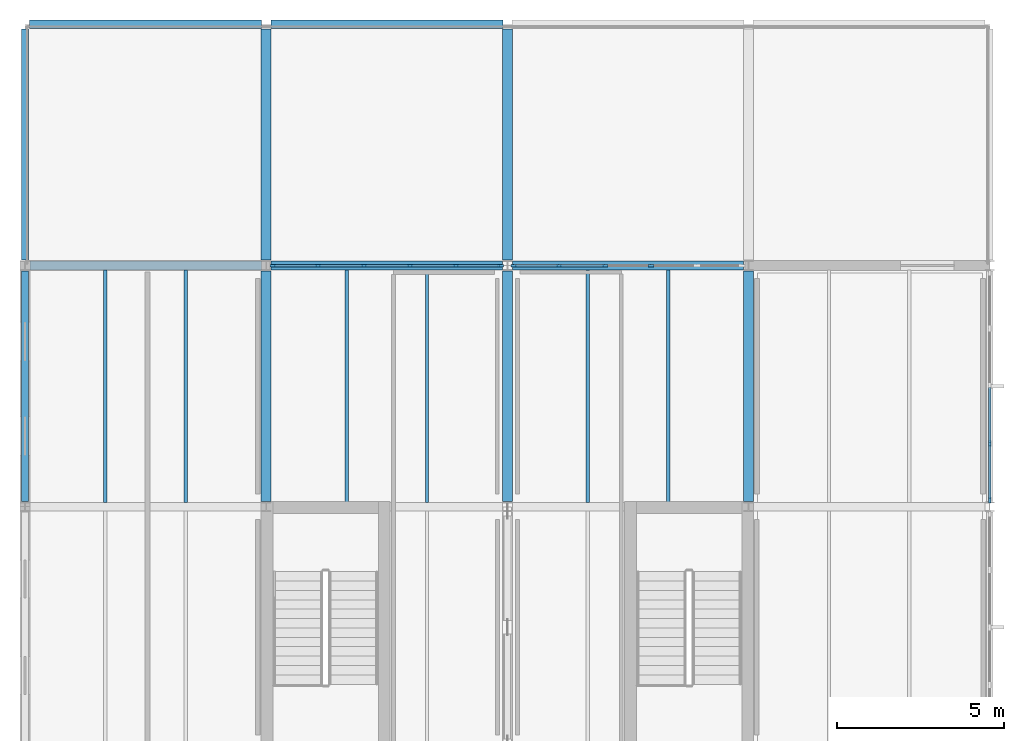
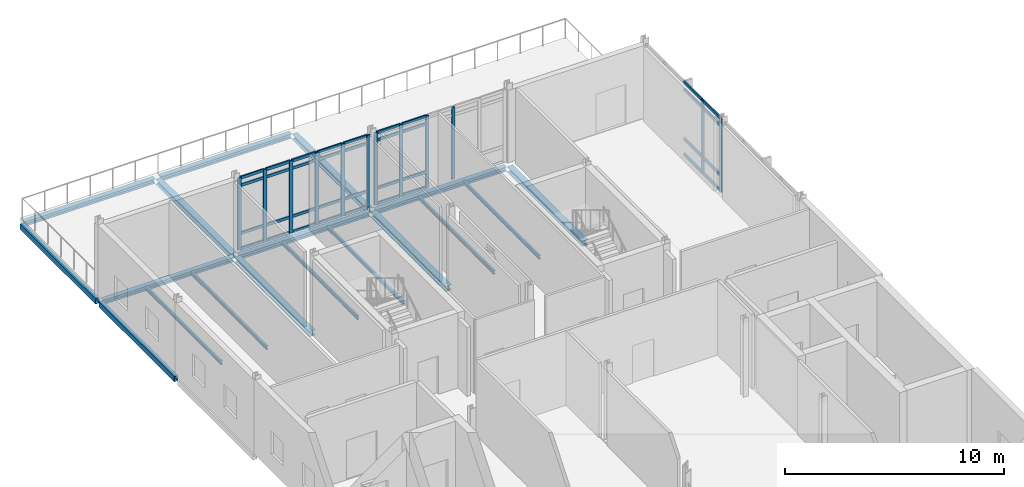
# One storey, part 4 of 12: 48 members, 18 beams, 3 elements without a shape of their own.
"""IFC4 building model written with IfcOpenShell, lengths in metres."""

from ifc_helpers import new_model, si_unit, direction, frame, origin, origin_2d, place, context, subcontext, project, spatial, rectangle, hollow_rectangle, i_section, extrude, material, layer, layer_set, material_profile, profile_set, type_object, element, aggregate, save


model = new_model("IFC4")

# Units and contexts
model_context = context("Model", 3, precision=1e-05, world=origin(), true_north=direction((0.0, 1.0)))
body_context = subcontext(model_context, "Body", "Model", "MODEL_VIEW")
ifc_project = project(units=[si_unit("LENGTHUNIT", "METRE"), si_unit("AREAUNIT", "SQUARE_METRE"), si_unit("VOLUMEUNIT", "CUBIC_METRE"), si_unit("PLANEANGLEUNIT", "RADIAN"), si_unit("MASSUNIT", "GRAM", prefix="KILO")], contexts=[model_context])

# Site, building, storey
site_placement = place(None, origin())
site = spatial("IfcSite", under=ifc_project, at=site_placement, CompositionType="ELEMENT")
building_placement = place(site_placement, origin())
building = spatial("IfcBuilding", under=site, at=building_placement, Name="Zarrinpeak Specialist Clinic", CompositionType="ELEMENT")
storey_placement = place(building_placement, frame((0.0, 0.0, 27.199951171875)))
storey = spatial("IfcBuildingStorey", under=building, at=storey_placement, Name="L06", CompositionType="ELEMENT", Elevation=27.199951171875)

# Beams
ifc_material_1 = material(Name="Steel S355", Category="steel")
ifc_material_profile_1 = material_profile(ifc_material_1, i_section(OverallWidth=0.260009765625, OverallDepth=0.25, WebThickness=0.007568359375, FlangeThickness=0.012451171875, FilletRadius=0.02392578125, at=origin_2d()), Name="HEA 260")
ifc_profile_set_1 = profile_set([ifc_material_profile_1], Name="Steel S355")
beam_type_1 = type_object("IfcBeamType", Name="BM-HEA260", PredefinedType="BEAM", material=ifc_profile_set_1)
for number, where, z_axis, x_axis, name in (
    (1, (0.14794921875, 36.0, -0.344970703125), (1.0, 0.0, 0.0), (0.0, 1.0, 0.0), "L06 Primary Floor Girder BM-L06-X2196"),
    (2, (7.347900390625, 36.0, -0.344970703125), (1.0, 0.0, 0.0), (0.0, 1.0, 0.0), "L06 Primary Floor Girder BM-L06-X2197"),
):
    element("IfcBeam", number, at=place(storey_placement, frame(where, z_axis=z_axis, x_axis=x_axis)), inside=storey, type_object=beam_type_1, Name=name, PredefinedType="BEAM", context=body_context, shape_type="SweptSolid", body=[
        extrude(i_section(OverallWidth=0.260009765625, OverallDepth=0.25, WebThickness=0.007568359375, FlangeThickness=0.012451171875, FilletRadius=0.02392578125, at=origin_2d()), origin(), (0.0, 0.0, 1.0), 6.904052734375),
    ])
beam_1_placement = place(storey_placement, frame((14.548095703125, 36.0, -0.344970703125), z_axis=(1.0, 0.0, 0.0), x_axis=(0.0, 1.0, 0.0)))
element("IfcBeam", 3, at=beam_1_placement, inside=storey, type_object=beam_type_1, Name="L06 Primary Floor Girder BM-L06-X2198", PredefinedType="BEAM", context=body_context, shape_type="SweptSolid", body=[
    extrude(i_section(OverallWidth=0.260009765625, OverallDepth=0.25, WebThickness=0.007568359375, FlangeThickness=0.012451171875, FilletRadius=0.02392578125, at=origin_2d()), origin(), (0.0, 0.0, 1.0), 6.90380859375),
])
for number, where, z_axis, x_axis, name in (
    (4, (0.137939453125, 43.199951171875, -0.344970703125), (1.0, 0.0, 0.0), (0.0, 1.0, 0.0), "L06 Primary Floor Girder BM-L06-X2200"),
    (5, (7.337890625, 43.199951171875, -0.344970703125), (1.0, 0.0, 0.0), (0.0, 1.0, 0.0), "L06 Primary Floor Girder BM-L06-X2201"),
):
    element("IfcBeam", number, at=place(storey_placement, frame(where, z_axis=z_axis, x_axis=x_axis)), inside=storey, type_object=beam_type_1, Name=name, PredefinedType="BEAM", context=body_context, shape_type="SweptSolid", body=[
        extrude(i_section(OverallWidth=0.260009765625, OverallDepth=0.25, WebThickness=0.007568359375, FlangeThickness=0.012451171875, FilletRadius=0.02392578125, at=origin_2d()), origin(), (0.0, 0.0, 1.0), 6.924072265625),
    ])
ifc_material_profile_2 = material_profile(ifc_material_1, i_section(OverallWidth=0.300048828125, OverallDepth=0.2900390625, WebThickness=0.008544921875, FlangeThickness=0.013916015625, FilletRadius=0.027099609375, at=origin_2d()), Name="HEA 300")
ifc_profile_set_2 = profile_set([ifc_material_profile_2], Name="Steel S355")
beam_type_2 = type_object("IfcBeamType", Name="BM-HEA300", PredefinedType="BEAM", material=ifc_profile_set_2)
beam_2_placement = place(storey_placement, frame((7.199951171875, 28.9580078125, -0.329833984375), z_axis=(0.0, 1.0, 0.0), x_axis=(-1.0, 0.0, 0.0)))
element("IfcBeam", 6, at=beam_2_placement, inside=storey, type_object=beam_type_2, Name="L06 Primary Beam BM-L06-Y2211", PredefinedType="BEAM", context=body_context, shape_type="SweptSolid", body=[
    extrude(i_section(OverallWidth=0.300048828125, OverallDepth=0.2900390625, WebThickness=0.008544921875, FlangeThickness=0.013916015625, FilletRadius=0.027099609375, at=origin_2d()), origin(), (0.0, 0.0, 1.0), 6.884033203125),
])
beam_3_placement = place(storey_placement, frame((7.199951171875, 36.157958984375, -0.364990234375), z_axis=(0.0, 1.0, 0.0), x_axis=(-1.0, 0.0, 0.0)))
element("IfcBeam", 7, at=beam_3_placement, inside=storey, type_object=beam_type_2, Name="L06 Primary Beam BM-L06-Y2212", PredefinedType="BEAM", context=body_context, shape_type="SweptSolid", body=[
    extrude(i_section(OverallWidth=0.300048828125, OverallDepth=0.2900390625, WebThickness=0.008544921875, FlangeThickness=0.013916015625, FilletRadius=0.027099609375, at=origin_2d()), origin(), (0.0, 0.0, 1.0), 6.904052734375),
])
beam_4_placement = place(storey_placement, frame((14.39990234375, 28.9580078125, -0.329833984375), z_axis=(0.0, 1.0, 0.0), x_axis=(-1.0, 0.0, 0.0)))
element("IfcBeam", 8, at=beam_4_placement, inside=storey, type_object=beam_type_2, Name="L06 Primary Beam BM-L06-Y2217", PredefinedType="BEAM", context=body_context, shape_type="SweptSolid", body=[
    extrude(i_section(OverallWidth=0.300048828125, OverallDepth=0.2900390625, WebThickness=0.008544921875, FlangeThickness=0.013916015625, FilletRadius=0.027099609375, at=origin_2d()), origin(), (0.0, 0.0, 1.0), 6.884033203125),
])
beam_5_placement = place(storey_placement, frame((14.39990234375, 36.157958984375, -0.364990234375), z_axis=(0.0, 1.0, 0.0), x_axis=(-1.0, 0.0, 0.0)))
element("IfcBeam", 9, at=beam_5_placement, inside=storey, type_object=beam_type_2, Name="L06 Primary Beam BM-L06-Y2218", PredefinedType="BEAM", context=body_context, shape_type="SweptSolid", body=[
    extrude(i_section(OverallWidth=0.300048828125, OverallDepth=0.2900390625, WebThickness=0.008544921875, FlangeThickness=0.013916015625, FilletRadius=0.027099609375, at=origin_2d()), origin(), (0.0, 0.0, 1.0), 6.904052734375),
])
beam_6_placement = place(storey_placement, frame((21.60009765625, 28.9580078125, -0.329833984375), z_axis=(0.0, 1.0, 0.0), x_axis=(-1.0, 0.0, 0.0)))
element("IfcBeam", 10, at=beam_6_placement, inside=storey, type_object=beam_type_2, Name="L06 Primary Beam BM-L06-Y2223", PredefinedType="BEAM", context=body_context, shape_type="SweptSolid", body=[
    extrude(i_section(OverallWidth=0.300048828125, OverallDepth=0.2900390625, WebThickness=0.008544921875, FlangeThickness=0.013916015625, FilletRadius=0.027099609375, at=origin_2d()), origin(), (0.0, 0.0, 1.0), 6.884033203125),
])
ifc_material_profile_3 = material_profile(ifc_material_1, i_section(OverallWidth=0.10009765625, OverallDepth=0.199951171875, WebThickness=0.005615234375, FlangeThickness=0.008544921875, FilletRadius=0.011962890625, at=origin_2d()), Name="IPE 200")
ifc_profile_set_3 = profile_set([ifc_material_profile_3], Name="Steel S355")
beam_type_3 = type_object("IfcBeamType", Name="BM-JST200", PredefinedType="JOIST", material=ifc_profile_set_3)
for number, where, z_axis, x_axis, name in (
    (11, (2.39990234375, 28.927978515625, -0.284912109375), (0.0, 1.0, 0.0), (-1.0, 0.0, 0.0), "L06 Composite Floor Joist JST-L06-2230"),
    (12, (4.800048828125, 28.927978515625, -0.284912109375), (0.0, 1.0, 0.0), (-1.0, 0.0, 0.0), "L06 Composite Floor Joist JST-L06-2231"),
    (13, (9.60009765625, 28.927978515625, -0.284912109375), (0.0, 1.0, 0.0), (-1.0, 0.0, 0.0), "L06 Composite Floor Joist JST-L06-2239"),
    (14, (12.0, 28.927978515625, -0.284912109375), (0.0, 1.0, 0.0), (-1.0, 0.0, 0.0), "L06 Composite Floor Joist JST-L06-2240"),
    (15, (16.800048828125, 28.927978515625, -0.284912109375), (0.0, 1.0, 0.0), (-1.0, 0.0, 0.0), "L06 Composite Floor Joist JST-L06-2248"),
    (16, (19.199951171875, 28.927978515625, -0.284912109375), (0.0, 1.0, 0.0), (-1.0, 0.0, 0.0), "L06 Composite Floor Joist JST-L06-2249"),
):
    element("IfcBeam", number, at=place(storey_placement, frame(where, z_axis=z_axis, x_axis=x_axis)), inside=storey, type_object=beam_type_3, Name=name, PredefinedType="JOIST", context=body_context, shape_type="SweptSolid", body=[
        extrude(i_section(OverallWidth=0.10009765625, OverallDepth=0.199951171875, WebThickness=0.005615234375, FlangeThickness=0.008544921875, FilletRadius=0.011962890625, at=origin_2d()), origin(), (0.0, 0.0, 1.0), 6.944091796875),
    ])
ifc_material_profile_4 = material_profile(ifc_material_1, hollow_rectangle(XDim=0.199951171875, YDim=0.300048828125, WallThickness=0.012451171875, at=origin_2d()), Name="RHS 300x200x12.5")
ifc_profile_set_4 = profile_set([ifc_material_profile_4], Name="Steel S355")
beam_type_4 = type_object("IfcBeamType", Name="BM-SP300", PredefinedType="SPANDREL", material=ifc_profile_set_4)
beam_7_placement = place(storey_placement, frame((0.0, 28.9580078125, -0.3349609375), z_axis=(0.0, 1.0, 0.0), x_axis=(-1.0, 0.0, 0.0)))
element("IfcBeam", 17, at=beam_7_placement, inside=storey, type_object=beam_type_4, Name="L06 Perimeter Spandrel Beam BM-L06-Y2205", PredefinedType="SPANDREL", context=body_context, shape_type="SweptSolid", body=[
    extrude(hollow_rectangle(XDim=0.199951171875, YDim=0.300048828125, WallThickness=0.012451171875, at=origin_2d()), origin(), (0.0, 0.0, 1.0), 6.884033203125),
])
beam_8_placement = place(storey_placement, frame((0.0, 36.157958984375, -0.369873046875), z_axis=(0.0, 1.0, 0.0), x_axis=(-1.0, 0.0, 0.0)))
element("IfcBeam", 18, at=beam_8_placement, inside=storey, type_object=beam_type_4, Name="L06 Perimeter Spandrel Beam BM-L06-Y2206", PredefinedType="SPANDREL", context=body_context, shape_type="SweptSolid", body=[
    extrude(hollow_rectangle(XDim=0.199951171875, YDim=0.300048828125, WallThickness=0.012451171875, at=origin_2d()), origin(), (0.0, 0.0, 1.0), 6.904052734375),
])

# Curtain wall, members
ifc_material_2 = material(Name="Anodised Aluminium Alloy 6063-T6", Category="aluminium")
ifc_layer_1 = layer(ifc_material_2, 0.1650390625)
ifc_layer_set_1 = layer_set([ifc_layer_1], Name="Anodised Aluminium Alloy 6063-T6")
curtain_wall_type_1 = type_object("IfcCurtainWallType", Name="CW-CLINIC", PredefinedType="NOTDEFINED", material=ifc_layer_set_1)
curtain_wall_1_placement = place(storey_placement, origin())
curtain_wall_1 = element("IfcCurtainWall", 19, at=curtain_wall_1_placement, inside=storey, type_object=curtain_wall_type_1, Name="L06 V1 Unitised Curtain Wall CW-L06-V1-036", PredefinedType="NOTDEFINED")
ifc_material_profile_5 = material_profile(ifc_material_2, rectangle(XDim=0.074951171875, YDim=0.179931640625, at=origin_2d()), Name="ALU 75x180")
ifc_profile_set_5 = profile_set([ifc_material_profile_5], Name="Anodised Aluminium Alloy 6063-T6")
member_type_1 = type_object("IfcMemberType", Name="CWM-75", PredefinedType="MULLION", material=ifc_profile_set_5)
member_1_placement = place(storey_placement, frame((14.197509765625, 36.0, 0.0), z_axis=(0.0, 0.0, 1.0), x_axis=(0.0, -1.0, 0.0)))
member_1 = element("IfcMember", 20, at=member_1_placement, type_object=member_type_1, Name="CW-03 mullion 1", PredefinedType="MULLION", context=body_context, shape_type="SweptSolid", body=[
    extrude(rectangle(XDim=0.074951171875, YDim=0.179931640625, at=origin_2d()), origin(), (0.0, 0.0, 1.0), 4.03515625),
])
member_2_placement = place(storey_placement, frame((12.861083984375, 36.0, 0.0), z_axis=(0.0, 0.0, 1.0), x_axis=(0.0, -1.0, 0.0)))
member_2 = element("IfcMember", 21, at=member_2_placement, type_object=member_type_1, Name="CW-03 mullion 2", PredefinedType="MULLION", context=body_context, shape_type="SweptSolid", body=[
    extrude(rectangle(XDim=0.074951171875, YDim=0.179931640625, at=origin_2d()), origin(), (0.0, 0.0, 1.0), 4.03515625),
])
member_3_placement = place(storey_placement, frame((11.487060546875, 36.0, 0.0), z_axis=(0.0, 0.0, 1.0), x_axis=(0.0, -1.0, 0.0)))
member_3 = element("IfcMember", 22, at=member_3_placement, type_object=member_type_1, Name="CW-03 mullion 3", PredefinedType="MULLION", context=body_context, shape_type="SweptSolid", body=[
    extrude(rectangle(XDim=0.074951171875, YDim=0.179931640625, at=origin_2d()), origin(), (0.0, 0.0, 1.0), 4.03515625),
])
member_4_placement = place(storey_placement, frame((10.113037109375, 36.0, 0.0), z_axis=(0.0, 0.0, 1.0), x_axis=(0.0, -1.0, 0.0)))
member_4 = element("IfcMember", 23, at=member_4_placement, type_object=member_type_1, Name="CW-03 mullion 4", PredefinedType="MULLION", context=body_context, shape_type="SweptSolid", body=[
    extrude(rectangle(XDim=0.074951171875, YDim=0.179931640625, at=origin_2d()), origin(), (0.0, 0.0, 1.0), 4.03515625),
])
member_5_placement = place(storey_placement, frame((8.739013671875, 36.0, 0.0), z_axis=(0.0, 0.0, 1.0), x_axis=(0.0, -1.0, 0.0)))
member_5 = element("IfcMember", 24, at=member_5_placement, type_object=member_type_1, Name="CW-03 mullion 5", PredefinedType="MULLION", context=body_context, shape_type="SweptSolid", body=[
    extrude(rectangle(XDim=0.074951171875, YDim=0.179931640625, at=origin_2d()), origin(), (0.0, 0.0, 1.0), 4.03515625),
])
member_6_placement = place(storey_placement, frame((7.402587890625, 36.0, 0.0), z_axis=(0.0, 0.0, 1.0), x_axis=(0.0, -1.0, 0.0)))
member_6 = element("IfcMember", 25, at=member_6_placement, type_object=member_type_1, Name="CW-03 mullion 6", PredefinedType="MULLION", context=body_context, shape_type="SweptSolid", body=[
    extrude(rectangle(XDim=0.074951171875, YDim=0.179931640625, at=origin_2d()), origin(), (0.0, 0.0, 1.0), 4.03515625),
])

curtain_wall_2_placement = place(storey_placement, origin())
curtain_wall_2 = element("IfcCurtainWall", 26, at=curtain_wall_2_placement, inside=storey, type_object=curtain_wall_type_1, Name="L06 V1 Unitised Curtain Wall CW-L06-V1-037", PredefinedType="NOTDEFINED")
member_7_placement = place(storey_placement, frame((18.68701171875, 36.0, 0.0), z_axis=(0.0, 0.0, 1.0), x_axis=(0.0, -1.0, 0.0)))
member_7 = element("IfcMember", 27, at=member_7_placement, type_object=member_type_1, Name="CW-03 mullion 3", PredefinedType="MULLION", context=body_context, shape_type="SweptSolid", body=[
    extrude(rectangle(XDim=0.074951171875, YDim=0.179931640625, at=origin_2d()), origin(), (0.0, 0.0, 1.0), 4.03515625),
])
member_8_placement = place(storey_placement, frame((17.31298828125, 36.0, 0.0), z_axis=(0.0, 0.0, 1.0), x_axis=(0.0, -1.0, 0.0)))
member_8 = element("IfcMember", 28, at=member_8_placement, type_object=member_type_1, Name="CW-03 mullion 4", PredefinedType="MULLION", context=body_context, shape_type="SweptSolid", body=[
    extrude(rectangle(XDim=0.074951171875, YDim=0.179931640625, at=origin_2d()), origin(), (0.0, 0.0, 1.0), 4.03515625),
])
member_9_placement = place(storey_placement, frame((15.93896484375, 36.0, 0.0), z_axis=(0.0, 0.0, 1.0), x_axis=(0.0, -1.0, 0.0)))
member_9 = element("IfcMember", 29, at=member_9_placement, type_object=member_type_1, Name="CW-03 mullion 5", PredefinedType="MULLION", context=body_context, shape_type="SweptSolid", body=[
    extrude(rectangle(XDim=0.074951171875, YDim=0.179931640625, at=origin_2d()), origin(), (0.0, 0.0, 1.0), 4.03515625),
])
member_10_placement = place(storey_placement, frame((14.6025390625, 36.0, 0.0), z_axis=(0.0, 0.0, 1.0), x_axis=(0.0, -1.0, 0.0)))
member_10 = element("IfcMember", 30, at=member_10_placement, type_object=member_type_1, Name="CW-03 mullion 6", PredefinedType="MULLION", context=body_context, shape_type="SweptSolid", body=[
    extrude(rectangle(XDim=0.074951171875, YDim=0.179931640625, at=origin_2d()), origin(), (0.0, 0.0, 1.0), 4.03515625),
])

ifc_layer_2 = layer(ifc_material_2, 0.179931640625)
ifc_layer_set_2 = layer_set([ifc_layer_2], Name="Anodised Aluminium Alloy 6063-T6")
curtain_wall_type_2 = type_object("IfcCurtainWallType", Name="CW-COURT", PredefinedType="NOTDEFINED", material=ifc_layer_set_2)
curtain_wall_3_placement = place(storey_placement, origin())
curtain_wall_3 = element("IfcCurtainWall", 31, at=curtain_wall_3_placement, inside=storey, type_object=curtain_wall_type_2, Name="L06 V1 Unitised Curtain Wall CW-L06-V1-039", PredefinedType="NOTDEFINED")
member_11_placement = place(storey_placement, frame((28.800048828125, 29.00244140625, 0.0), z_axis=(0.0, 0.0, 1.0), x_axis=(-1.0, 0.0, 0.0)))
member_11 = element("IfcMember", 32, at=member_11_placement, type_object=member_type_1, Name="CW-01 mullion 1", PredefinedType="MULLION", context=body_context, shape_type="SweptSolid", body=[
    extrude(rectangle(XDim=0.074951171875, YDim=0.179931640625, at=origin_2d()), origin(), (0.0, 0.0, 1.0), 4.110107421875),
])
member_12_placement = place(storey_placement, frame((28.800048828125, 30.6826171875, 0.0), z_axis=(0.0, 0.0, 1.0), x_axis=(-1.0, 0.0, 0.0)))
member_12 = element("IfcMember", 33, at=member_12_placement, type_object=member_type_1, Name="CW-01 mullion 2", PredefinedType="MULLION", context=body_context, shape_type="SweptSolid", body=[
    extrude(rectangle(XDim=0.074951171875, YDim=0.179931640625, at=origin_2d()), origin(), (0.0, 0.0, 1.0), 4.110107421875),
])

# Member
ifc_material_profile_6 = material_profile(ifc_material_2, rectangle(XDim=0.074951171875, YDim=0.159912109375, at=origin_2d()), Name="ALU 75x160")
ifc_profile_set_6 = profile_set([ifc_material_profile_6], Name="Anodised Aluminium Alloy 6063-T6")
member_type_2 = type_object("IfcMemberType", Name="CWT-75", PredefinedType="USERDEFINED", material=ifc_profile_set_6)
member_13_placement = place(storey_placement, frame((14.159912109375, 36.0, 0.03759765625), z_axis=(-1.0, 0.0, 0.0), x_axis=(0.0, -1.0, 0.0)))
member_13 = element("IfcMember", 34, at=member_13_placement, type_object=member_type_2, Name="CW-03 transom 1.1", ObjectType="TRANSOM", PredefinedType="USERDEFINED", context=body_context, shape_type="SweptSolid", body=[
    extrude(rectangle(XDim=0.074951171875, YDim=0.159912109375, at=origin_2d()), origin(), (0.0, 0.0, 1.0), 1.261474609375),
])

member_14_placement = place(storey_placement, frame((14.159912109375, 36.0, 0.900146484375), z_axis=(-1.0, 0.0, 0.0), x_axis=(0.0, -1.0, 0.0)))
member_14 = element("IfcMember", 35, at=member_14_placement, type_object=member_type_2, Name="CW-03 transom 1.2", ObjectType="TRANSOM", PredefinedType="USERDEFINED", context=body_context, shape_type="SweptSolid", body=[
    extrude(rectangle(XDim=0.074951171875, YDim=0.159912109375, at=origin_2d()), origin(), (0.0, 0.0, 1.0), 1.261474609375),
])

member_15_placement = place(storey_placement, frame((14.159912109375, 36.0, 3.5849609375), z_axis=(-1.0, 0.0, 0.0), x_axis=(0.0, -1.0, 0.0)))
member_15 = element("IfcMember", 36, at=member_15_placement, type_object=member_type_2, Name="CW-03 transom 1.3", ObjectType="TRANSOM", PredefinedType="USERDEFINED", context=body_context, shape_type="SweptSolid", body=[
    extrude(rectangle(XDim=0.074951171875, YDim=0.159912109375, at=origin_2d()), origin(), (0.0, 0.0, 1.0), 1.261474609375),
])

member_16_placement = place(storey_placement, frame((14.159912109375, 36.0, 3.99755859375), z_axis=(-1.0, 0.0, 0.0), x_axis=(0.0, -1.0, 0.0)))
member_16 = element("IfcMember", 37, at=member_16_placement, type_object=member_type_2, Name="CW-03 transom 1.4", ObjectType="TRANSOM", PredefinedType="USERDEFINED", context=body_context, shape_type="SweptSolid", body=[
    extrude(rectangle(XDim=0.074951171875, YDim=0.159912109375, at=origin_2d()), origin(), (0.0, 0.0, 1.0), 1.261474609375),
])

member_17_placement = place(storey_placement, frame((12.823486328125, 36.0, 0.03759765625), z_axis=(-1.0, 0.0, 0.0), x_axis=(0.0, -1.0, 0.0)))
member_17 = element("IfcMember", 38, at=member_17_placement, type_object=member_type_2, Name="CW-03 transom 2.1", ObjectType="TRANSOM", PredefinedType="USERDEFINED", context=body_context, shape_type="SweptSolid", body=[
    extrude(rectangle(XDim=0.074951171875, YDim=0.159912109375, at=origin_2d()), origin(), (0.0, 0.0, 1.0), 1.299072265625),
])

member_18_placement = place(storey_placement, frame((12.823486328125, 36.0, 0.900146484375), z_axis=(-1.0, 0.0, 0.0), x_axis=(0.0, -1.0, 0.0)))
member_18 = element("IfcMember", 39, at=member_18_placement, type_object=member_type_2, Name="CW-03 transom 2.2", ObjectType="TRANSOM", PredefinedType="USERDEFINED", context=body_context, shape_type="SweptSolid", body=[
    extrude(rectangle(XDim=0.074951171875, YDim=0.159912109375, at=origin_2d()), origin(), (0.0, 0.0, 1.0), 1.299072265625),
])

member_19_placement = place(storey_placement, frame((12.823486328125, 36.0, 3.5849609375), z_axis=(-1.0, 0.0, 0.0), x_axis=(0.0, -1.0, 0.0)))
member_19 = element("IfcMember", 40, at=member_19_placement, type_object=member_type_2, Name="CW-03 transom 2.3", ObjectType="TRANSOM", PredefinedType="USERDEFINED", context=body_context, shape_type="SweptSolid", body=[
    extrude(rectangle(XDim=0.074951171875, YDim=0.159912109375, at=origin_2d()), origin(), (0.0, 0.0, 1.0), 1.299072265625),
])

member_20_placement = place(storey_placement, frame((12.823486328125, 36.0, 3.99755859375), z_axis=(-1.0, 0.0, 0.0), x_axis=(0.0, -1.0, 0.0)))
member_20 = element("IfcMember", 41, at=member_20_placement, type_object=member_type_2, Name="CW-03 transom 2.4", ObjectType="TRANSOM", PredefinedType="USERDEFINED", context=body_context, shape_type="SweptSolid", body=[
    extrude(rectangle(XDim=0.074951171875, YDim=0.159912109375, at=origin_2d()), origin(), (0.0, 0.0, 1.0), 1.299072265625),
])

member_21_placement = place(storey_placement, frame((11.449462890625, 36.0, 0.03759765625), z_axis=(-1.0, 0.0, 0.0), x_axis=(0.0, -1.0, 0.0)))
member_21 = element("IfcMember", 42, at=member_21_placement, type_object=member_type_2, Name="CW-03 transom 3.1", ObjectType="TRANSOM", PredefinedType="USERDEFINED", context=body_context, shape_type="SweptSolid", body=[
    extrude(rectangle(XDim=0.074951171875, YDim=0.159912109375, at=origin_2d()), origin(), (0.0, 0.0, 1.0), 1.299072265625),
])

member_22_placement = place(storey_placement, frame((11.449462890625, 36.0, 0.900146484375), z_axis=(-1.0, 0.0, 0.0), x_axis=(0.0, -1.0, 0.0)))
member_22 = element("IfcMember", 43, at=member_22_placement, type_object=member_type_2, Name="CW-03 transom 3.2", ObjectType="TRANSOM", PredefinedType="USERDEFINED", context=body_context, shape_type="SweptSolid", body=[
    extrude(rectangle(XDim=0.074951171875, YDim=0.159912109375, at=origin_2d()), origin(), (0.0, 0.0, 1.0), 1.299072265625),
])

member_23_placement = place(storey_placement, frame((11.449462890625, 36.0, 3.5849609375), z_axis=(-1.0, 0.0, 0.0), x_axis=(0.0, -1.0, 0.0)))
member_23 = element("IfcMember", 44, at=member_23_placement, type_object=member_type_2, Name="CW-03 transom 3.3", ObjectType="TRANSOM", PredefinedType="USERDEFINED", context=body_context, shape_type="SweptSolid", body=[
    extrude(rectangle(XDim=0.074951171875, YDim=0.159912109375, at=origin_2d()), origin(), (0.0, 0.0, 1.0), 1.299072265625),
])

member_24_placement = place(storey_placement, frame((11.449462890625, 36.0, 3.99755859375), z_axis=(-1.0, 0.0, 0.0), x_axis=(0.0, -1.0, 0.0)))
member_24 = element("IfcMember", 45, at=member_24_placement, type_object=member_type_2, Name="CW-03 transom 3.4", ObjectType="TRANSOM", PredefinedType="USERDEFINED", context=body_context, shape_type="SweptSolid", body=[
    extrude(rectangle(XDim=0.074951171875, YDim=0.159912109375, at=origin_2d()), origin(), (0.0, 0.0, 1.0), 1.299072265625),
])

member_25_placement = place(storey_placement, frame((10.075439453125, 36.0, 0.03759765625), z_axis=(-1.0, 0.0, 0.0), x_axis=(0.0, -1.0, 0.0)))
member_25 = element("IfcMember", 46, at=member_25_placement, type_object=member_type_2, Name="CW-03 transom 4.1", ObjectType="TRANSOM", PredefinedType="USERDEFINED", context=body_context, shape_type="SweptSolid", body=[
    extrude(rectangle(XDim=0.074951171875, YDim=0.159912109375, at=origin_2d()), origin(), (0.0, 0.0, 1.0), 1.298828125),
])

member_26_placement = place(storey_placement, frame((10.075439453125, 36.0, 0.900146484375), z_axis=(-1.0, 0.0, 0.0), x_axis=(0.0, -1.0, 0.0)))
member_26 = element("IfcMember", 47, at=member_26_placement, type_object=member_type_2, Name="CW-03 transom 4.2", ObjectType="TRANSOM", PredefinedType="USERDEFINED", context=body_context, shape_type="SweptSolid", body=[
    extrude(rectangle(XDim=0.074951171875, YDim=0.159912109375, at=origin_2d()), origin(), (0.0, 0.0, 1.0), 1.298828125),
])

member_27_placement = place(storey_placement, frame((10.075439453125, 36.0, 3.5849609375), z_axis=(-1.0, 0.0, 0.0), x_axis=(0.0, -1.0, 0.0)))
member_27 = element("IfcMember", 48, at=member_27_placement, type_object=member_type_2, Name="CW-03 transom 4.3", ObjectType="TRANSOM", PredefinedType="USERDEFINED", context=body_context, shape_type="SweptSolid", body=[
    extrude(rectangle(XDim=0.074951171875, YDim=0.159912109375, at=origin_2d()), origin(), (0.0, 0.0, 1.0), 1.298828125),
])

member_28_placement = place(storey_placement, frame((10.075439453125, 36.0, 3.99755859375), z_axis=(-1.0, 0.0, 0.0), x_axis=(0.0, -1.0, 0.0)))
member_28 = element("IfcMember", 49, at=member_28_placement, type_object=member_type_2, Name="CW-03 transom 4.4", ObjectType="TRANSOM", PredefinedType="USERDEFINED", context=body_context, shape_type="SweptSolid", body=[
    extrude(rectangle(XDim=0.074951171875, YDim=0.159912109375, at=origin_2d()), origin(), (0.0, 0.0, 1.0), 1.298828125),
])

member_29_placement = place(storey_placement, frame((8.701416015625, 36.0, 0.03759765625), z_axis=(-1.0, 0.0, 0.0), x_axis=(0.0, -1.0, 0.0)))
member_29 = element("IfcMember", 50, at=member_29_placement, type_object=member_type_2, Name="CW-03 transom 5.1", ObjectType="TRANSOM", PredefinedType="USERDEFINED", context=body_context, shape_type="SweptSolid", body=[
    extrude(rectangle(XDim=0.074951171875, YDim=0.159912109375, at=origin_2d()), origin(), (0.0, 0.0, 1.0), 1.261474609375),
])

member_30_placement = place(storey_placement, frame((8.701416015625, 36.0, 0.900146484375), z_axis=(-1.0, 0.0, 0.0), x_axis=(0.0, -1.0, 0.0)))
member_30 = element("IfcMember", 51, at=member_30_placement, type_object=member_type_2, Name="CW-03 transom 5.2", ObjectType="TRANSOM", PredefinedType="USERDEFINED", context=body_context, shape_type="SweptSolid", body=[
    extrude(rectangle(XDim=0.074951171875, YDim=0.159912109375, at=origin_2d()), origin(), (0.0, 0.0, 1.0), 1.261474609375),
])

member_31_placement = place(storey_placement, frame((8.701416015625, 36.0, 3.5849609375), z_axis=(-1.0, 0.0, 0.0), x_axis=(0.0, -1.0, 0.0)))
member_31 = element("IfcMember", 52, at=member_31_placement, type_object=member_type_2, Name="CW-03 transom 5.3", ObjectType="TRANSOM", PredefinedType="USERDEFINED", context=body_context, shape_type="SweptSolid", body=[
    extrude(rectangle(XDim=0.074951171875, YDim=0.159912109375, at=origin_2d()), origin(), (0.0, 0.0, 1.0), 1.261474609375),
])

member_32_placement = place(storey_placement, frame((8.701416015625, 36.0, 3.99755859375), z_axis=(-1.0, 0.0, 0.0), x_axis=(0.0, -1.0, 0.0)))
member_32 = element("IfcMember", 53, at=member_32_placement, type_object=member_type_2, Name="CW-03 transom 5.4", ObjectType="TRANSOM", PredefinedType="USERDEFINED", context=body_context, shape_type="SweptSolid", body=[
    extrude(rectangle(XDim=0.074951171875, YDim=0.159912109375, at=origin_2d()), origin(), (0.0, 0.0, 1.0), 1.261474609375),
])

aggregate(curtain_wall_1, [member_1, member_2, member_3, member_4, member_5, member_6, member_13, member_14, member_15, member_16, member_17, member_18, member_19, member_20, member_21, member_22, member_23, member_24, member_25, member_26, member_27, member_28, member_29, member_30, member_31, member_32])

member_33_placement = place(storey_placement, frame((17.275390625, 36.0, 0.03759765625), z_axis=(-1.0, 0.0, 0.0), x_axis=(0.0, -1.0, 0.0)))
member_33 = element("IfcMember", 54, at=member_33_placement, type_object=member_type_2, Name="CW-03 transom 4.1", ObjectType="TRANSOM", PredefinedType="USERDEFINED", context=body_context, shape_type="SweptSolid", body=[
    extrude(rectangle(XDim=0.074951171875, YDim=0.159912109375, at=origin_2d()), origin(), (0.0, 0.0, 1.0), 1.298828125),
])

member_34_placement = place(storey_placement, frame((17.275390625, 36.0, 0.900146484375), z_axis=(-1.0, 0.0, 0.0), x_axis=(0.0, -1.0, 0.0)))
member_34 = element("IfcMember", 55, at=member_34_placement, type_object=member_type_2, Name="CW-03 transom 4.2", ObjectType="TRANSOM", PredefinedType="USERDEFINED", context=body_context, shape_type="SweptSolid", body=[
    extrude(rectangle(XDim=0.074951171875, YDim=0.159912109375, at=origin_2d()), origin(), (0.0, 0.0, 1.0), 1.298828125),
])

member_35_placement = place(storey_placement, frame((17.275390625, 36.0, 3.5849609375), z_axis=(-1.0, 0.0, 0.0), x_axis=(0.0, -1.0, 0.0)))
member_35 = element("IfcMember", 56, at=member_35_placement, type_object=member_type_2, Name="CW-03 transom 4.3", ObjectType="TRANSOM", PredefinedType="USERDEFINED", context=body_context, shape_type="SweptSolid", body=[
    extrude(rectangle(XDim=0.074951171875, YDim=0.159912109375, at=origin_2d()), origin(), (0.0, 0.0, 1.0), 1.298828125),
])

member_36_placement = place(storey_placement, frame((17.275390625, 36.0, 3.99755859375), z_axis=(-1.0, 0.0, 0.0), x_axis=(0.0, -1.0, 0.0)))
member_36 = element("IfcMember", 57, at=member_36_placement, type_object=member_type_2, Name="CW-03 transom 4.4", ObjectType="TRANSOM", PredefinedType="USERDEFINED", context=body_context, shape_type="SweptSolid", body=[
    extrude(rectangle(XDim=0.074951171875, YDim=0.159912109375, at=origin_2d()), origin(), (0.0, 0.0, 1.0), 1.298828125),
])

member_37_placement = place(storey_placement, frame((15.901611328125, 36.0, 0.03759765625), z_axis=(-1.0, 0.0, 0.0), x_axis=(0.0, -1.0, 0.0)))
member_37 = element("IfcMember", 58, at=member_37_placement, type_object=member_type_2, Name="CW-03 transom 5.1", ObjectType="TRANSOM", PredefinedType="USERDEFINED", context=body_context, shape_type="SweptSolid", body=[
    extrude(rectangle(XDim=0.074951171875, YDim=0.159912109375, at=origin_2d()), origin(), (0.0, 0.0, 1.0), 1.26171875),
])

member_38_placement = place(storey_placement, frame((15.901611328125, 36.0, 0.900146484375), z_axis=(-1.0, 0.0, 0.0), x_axis=(0.0, -1.0, 0.0)))
member_38 = element("IfcMember", 59, at=member_38_placement, type_object=member_type_2, Name="CW-03 transom 5.2", ObjectType="TRANSOM", PredefinedType="USERDEFINED", context=body_context, shape_type="SweptSolid", body=[
    extrude(rectangle(XDim=0.074951171875, YDim=0.159912109375, at=origin_2d()), origin(), (0.0, 0.0, 1.0), 1.26171875),
])

member_39_placement = place(storey_placement, frame((15.901611328125, 36.0, 3.5849609375), z_axis=(-1.0, 0.0, 0.0), x_axis=(0.0, -1.0, 0.0)))
member_39 = element("IfcMember", 60, at=member_39_placement, type_object=member_type_2, Name="CW-03 transom 5.3", ObjectType="TRANSOM", PredefinedType="USERDEFINED", context=body_context, shape_type="SweptSolid", body=[
    extrude(rectangle(XDim=0.074951171875, YDim=0.159912109375, at=origin_2d()), origin(), (0.0, 0.0, 1.0), 1.26171875),
])

member_40_placement = place(storey_placement, frame((15.901611328125, 36.0, 3.99755859375), z_axis=(-1.0, 0.0, 0.0), x_axis=(0.0, -1.0, 0.0)))
member_40 = element("IfcMember", 61, at=member_40_placement, type_object=member_type_2, Name="CW-03 transom 5.4", ObjectType="TRANSOM", PredefinedType="USERDEFINED", context=body_context, shape_type="SweptSolid", body=[
    extrude(rectangle(XDim=0.074951171875, YDim=0.159912109375, at=origin_2d()), origin(), (0.0, 0.0, 1.0), 1.26171875),
])

aggregate(curtain_wall_2, [member_7, member_8, member_9, member_10, member_33, member_34, member_35, member_36, member_37, member_38, member_39, member_40])

member_41_placement = place(storey_placement, frame((28.800048828125, 29.0400390625, 0.03759765625), z_axis=(0.0, 1.0, 0.0), x_axis=(-1.0, 0.0, 0.0)))
member_41 = element("IfcMember", 62, at=member_41_placement, type_object=member_type_2, Name="CW-01 transom 1.1", ObjectType="TRANSOM", PredefinedType="USERDEFINED", context=body_context, shape_type="SweptSolid", body=[
    extrude(rectangle(XDim=0.074951171875, YDim=0.159912109375, at=origin_2d()), origin(), (0.0, 0.0, 1.0), 1.60498046875),
])

member_42_placement = place(storey_placement, frame((28.800048828125, 29.0400390625, 0.900146484375), z_axis=(0.0, 1.0, 0.0), x_axis=(-1.0, 0.0, 0.0)))
member_42 = element("IfcMember", 63, at=member_42_placement, type_object=member_type_2, Name="CW-01 transom 1.2", ObjectType="TRANSOM", PredefinedType="USERDEFINED", context=body_context, shape_type="SweptSolid", body=[
    extrude(rectangle(XDim=0.074951171875, YDim=0.159912109375, at=origin_2d()), origin(), (0.0, 0.0, 1.0), 1.60498046875),
])

member_43_placement = place(storey_placement, frame((28.800048828125, 29.0400390625, 3.66015625), z_axis=(0.0, 1.0, 0.0), x_axis=(-1.0, 0.0, 0.0)))
member_43 = element("IfcMember", 64, at=member_43_placement, type_object=member_type_2, Name="CW-01 transom 1.3", ObjectType="TRANSOM", PredefinedType="USERDEFINED", context=body_context, shape_type="SweptSolid", body=[
    extrude(rectangle(XDim=0.074951171875, YDim=0.159912109375, at=origin_2d()), origin(), (0.0, 0.0, 1.0), 1.60498046875),
])

member_44_placement = place(storey_placement, frame((28.800048828125, 29.0400390625, 4.072509765625), z_axis=(0.0, 1.0, 0.0), x_axis=(-1.0, 0.0, 0.0)))
member_44 = element("IfcMember", 65, at=member_44_placement, type_object=member_type_2, Name="CW-01 transom 1.4", ObjectType="TRANSOM", PredefinedType="USERDEFINED", context=body_context, shape_type="SweptSolid", body=[
    extrude(rectangle(XDim=0.074951171875, YDim=0.159912109375, at=origin_2d()), origin(), (0.0, 0.0, 1.0), 1.60498046875),
])

member_45_placement = place(storey_placement, frame((28.800048828125, 30.719970703125, 0.03759765625), z_axis=(0.0, 1.0, 0.0), x_axis=(-1.0, 0.0, 0.0)))
member_45 = element("IfcMember", 66, at=member_45_placement, type_object=member_type_2, Name="CW-01 transom 2.1", ObjectType="TRANSOM", PredefinedType="USERDEFINED", context=body_context, shape_type="SweptSolid", body=[
    extrude(rectangle(XDim=0.074951171875, YDim=0.159912109375, at=origin_2d()), origin(), (0.0, 0.0, 1.0), 1.642578125),
])

member_46_placement = place(storey_placement, frame((28.800048828125, 30.719970703125, 0.900146484375), z_axis=(0.0, 1.0, 0.0), x_axis=(-1.0, 0.0, 0.0)))
member_46 = element("IfcMember", 67, at=member_46_placement, type_object=member_type_2, Name="CW-01 transom 2.2", ObjectType="TRANSOM", PredefinedType="USERDEFINED", context=body_context, shape_type="SweptSolid", body=[
    extrude(rectangle(XDim=0.074951171875, YDim=0.159912109375, at=origin_2d()), origin(), (0.0, 0.0, 1.0), 1.642578125),
])

member_47_placement = place(storey_placement, frame((28.800048828125, 30.719970703125, 3.66015625), z_axis=(0.0, 1.0, 0.0), x_axis=(-1.0, 0.0, 0.0)))
member_47 = element("IfcMember", 68, at=member_47_placement, type_object=member_type_2, Name="CW-01 transom 2.3", ObjectType="TRANSOM", PredefinedType="USERDEFINED", context=body_context, shape_type="SweptSolid", body=[
    extrude(rectangle(XDim=0.074951171875, YDim=0.159912109375, at=origin_2d()), origin(), (0.0, 0.0, 1.0), 1.642578125),
])

member_48_placement = place(storey_placement, frame((28.800048828125, 30.719970703125, 4.072509765625), z_axis=(0.0, 1.0, 0.0), x_axis=(-1.0, 0.0, 0.0)))
member_48 = element("IfcMember", 69, at=member_48_placement, type_object=member_type_2, Name="CW-01 transom 2.4", ObjectType="TRANSOM", PredefinedType="USERDEFINED", context=body_context, shape_type="SweptSolid", body=[
    extrude(rectangle(XDim=0.074951171875, YDim=0.159912109375, at=origin_2d()), origin(), (0.0, 0.0, 1.0), 1.642578125),
])

aggregate(curtain_wall_3, [member_11, member_12, member_41, member_42, member_43, member_44, member_45, member_46, member_47, member_48])

save(model, "model.ifc")
